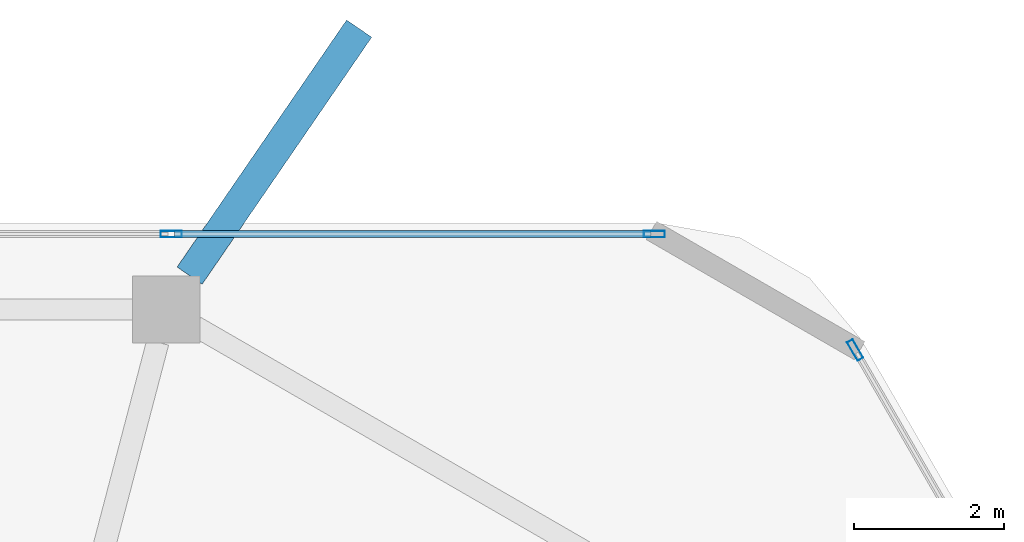
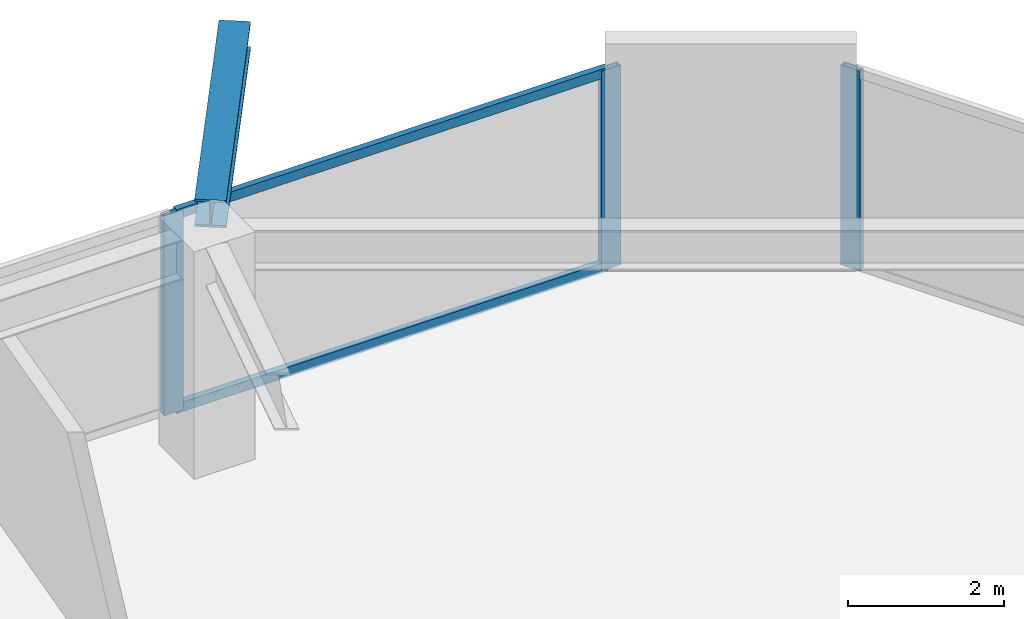
# One storey, part 16 of 25: 5 members, 1 beam, 2 elements without a shape of their own.
"""IFC4 building model written with IfcOpenShell, lengths in metres."""

from ifc_helpers import new_model, si_unit, direction, frame, origin, origin_2d, place, context, subcontext, project, spatial, hollow_rectangle, i_section, extrude, material, material_profile, profile_set, type_object, element, aggregate, save


model = new_model("IFC4")

# Units and contexts
model_context = context("Model", 3, precision=1e-05, world=origin(), true_north=direction((0.0, 1.0)))
body_context = subcontext(model_context, "Body", "Model", "MODEL_VIEW")
ifc_project = project(units=[si_unit("LENGTHUNIT", "METRE"), si_unit("AREAUNIT", "SQUARE_METRE"), si_unit("VOLUMEUNIT", "CUBIC_METRE"), si_unit("PLANEANGLEUNIT", "RADIAN"), si_unit("MASSUNIT", "GRAM", prefix="KILO")], contexts=[model_context])

# Site, building, storey
site_placement = place(None, origin())
site = spatial("IfcSite", under=ifc_project, at=site_placement, CompositionType="ELEMENT")
building_placement = place(site_placement, origin())
building = spatial("IfcBuilding", under=site, at=building_placement, Name="Zuhravey Tower", CompositionType="ELEMENT")
storey_placement = place(building_placement, frame((0.0, 0.0, 257.800048828125)))
storey = spatial("IfcBuildingStorey", under=building, at=storey_placement, Name="L65", CompositionType="ELEMENT", Elevation=257.800048828125)

# Curtain wall, members
ifc_material_1 = material(Name="Thermally broken anodised aluminium", Category="aluminium")
curtain_wall_type = type_object("IfcCurtainWallType", Name="Zone 3-4 High-Rise Curtain Wall CW4", PredefinedType="NOTDEFINED", material=ifc_material_1)
curtain_wall_1_placement = place(storey_placement, origin())
curtain_wall_1 = element("IfcCurtainWall", 1, at=curtain_wall_1_placement, inside=storey, type_object=curtain_wall_type, Name="L65 CW4 CW-L65-F2-1", PredefinedType="NOTDEFINED")
ifc_material_2 = material(Name="Anodised aluminium", Category="aluminium")
ifc_material_profile_1 = material_profile(ifc_material_2, hollow_rectangle(XDim=0.090087890625, YDim=0.284912109375, WallThickness=0.0048828125, at=origin_2d()), Name="ALU-RHS-90x285x5")
ifc_profile_set_1 = profile_set([ifc_material_profile_1], Name="Anodised aluminium")
member_type_1 = type_object("IfcMemberType", Name="Curtain-Wall Mullion 90x180", PredefinedType="MULLION", material=ifc_profile_set_1)
member_1_placement = place(storey_placement, frame((42.50634765625, 57.563720703125, 0.0), z_axis=(0.0, 0.0, 1.0), x_axis=(0.0, 1.0, 0.0)))
member_1 = element("IfcMember", 2, at=member_1_placement, type_object=member_type_1, Name="CW4 mullion 4", PredefinedType="MULLION", context=body_context, shape_type="SweptSolid", body=[
    extrude(hollow_rectangle(XDim=0.090087890625, YDim=0.284912109375, WallThickness=0.0048828125, at=origin_2d()), origin(), (0.0, 0.0, 1.0), 3.1220703125),
])
member_2_placement = place(storey_placement, frame((48.9677734375, 57.563720703125, 0.0), z_axis=(0.0, 0.0, 1.0), x_axis=(0.0, 1.0, 0.0)))
member_2 = element("IfcMember", 3, at=member_2_placement, type_object=member_type_1, Name="CW4 mullion 5", PredefinedType="MULLION", context=body_context, shape_type="SweptSolid", body=[
    extrude(hollow_rectangle(XDim=0.090087890625, YDim=0.284912109375, WallThickness=0.0048828125, at=origin_2d()), origin(), (0.0, 0.0, 1.0), 3.1220703125),
])

# Curtain wall, member
curtain_wall_2_placement = place(storey_placement, origin())
curtain_wall_2 = element("IfcCurtainWall", 4, at=curtain_wall_2_placement, inside=storey, type_object=curtain_wall_type, Name="L65 CW4 CW-L65-F1-1", PredefinedType="NOTDEFINED")
member_3_placement = place(storey_placement, frame((51.65478515625, 56.01220703125, 0.0), z_axis=(0.0, 0.0, 1.0), x_axis=(0.866024851021, 0.500000957414, 0.0)))
member_3 = element("IfcMember", 5, at=member_3_placement, type_object=member_type_1, Name="CW4 mullion 1", PredefinedType="MULLION", context=body_context, shape_type="SweptSolid", body=[
    extrude(hollow_rectangle(XDim=0.090087890625, YDim=0.284912109375, WallThickness=0.0048828125, at=origin_2d()), origin(), (0.0, 0.0, 1.0), 3.1220703125),
])
aggregate(curtain_wall_2, [member_3])

# Member
ifc_material_profile_2 = material_profile(ifc_material_2, hollow_rectangle(XDim=0.090087890625, YDim=0.14990234375, WallThickness=0.0048828125, at=origin_2d()), Name="ALU-RHS-90x150x5")
ifc_profile_set_2 = profile_set([ifc_material_profile_2], Name="Anodised aluminium")
member_type_2 = type_object("IfcMemberType", Name="Curtain-Wall Transom 90x150", PredefinedType="USERDEFINED", material=ifc_profile_set_2)
member_4_placement = place(storey_placement, frame((42.55126953125, 57.563720703125, 0.044921875), z_axis=(1.0, 0.0, 0.0), x_axis=(0.0, 1.0, 0.0)))
member_4 = element("IfcMember", 6, at=member_4_placement, type_object=member_type_2, Name="CW4 transom 4.1", ObjectType="TRANSOM", PredefinedType="USERDEFINED", context=body_context, shape_type="SweptSolid", body=[
    extrude(hollow_rectangle(XDim=0.090087890625, YDim=0.14990234375, WallThickness=0.0048828125, at=origin_2d()), origin(), (0.0, 0.0, 1.0), 6.371337890625),
])

member_5_placement = place(storey_placement, frame((42.55126953125, 57.563720703125, 3.076904296875), z_axis=(1.0, 0.0, 0.0), x_axis=(0.0, 1.0, 0.0)))
member_5 = element("IfcMember", 7, at=member_5_placement, type_object=member_type_2, Name="CW4 transom 4.2", ObjectType="TRANSOM", PredefinedType="USERDEFINED", context=body_context, shape_type="SweptSolid", body=[
    extrude(hollow_rectangle(XDim=0.090087890625, YDim=0.14990234375, WallThickness=0.0048828125, at=origin_2d()), origin(), (0.0, 0.0, 1.0), 6.371337890625),
])

aggregate(curtain_wall_1, [member_1, member_2, member_4, member_5])

# Beam
ifc_material_3 = material(Name="Steel SM460", Category="steel")
ifc_material_profile_3 = material_profile(ifc_material_3, i_section(OverallWidth=0.406982421875, OverallDepth=0.427978515625, WebThickness=0.02001953125, FlangeThickness=0.034912109375, at=origin_2d()), Name="H-428x407x20x35")
ifc_profile_set_3 = profile_set([ifc_material_profile_3], Name="Steel SM460")
beam_type = type_object("IfcBeamType", Name="Exoskeleton Node Tie Beam H428x407", PredefinedType="BEAM", material=ifc_profile_set_3)
beam_placement = place(storey_placement, frame((42.752197265625, 57.0068359375, 3.3359375), z_axis=(0.565936679704, 0.824448709481, 0.0), x_axis=(-0.824448709481, 0.565936679704, 0.0)))
element("IfcBeam", 8, at=beam_placement, inside=storey, type_object=beam_type, Name="L65 Exoskeleton Node Tie NT1-03", PredefinedType="BEAM", context=body_context, shape_type="SweptSolid", body=[
    extrude(i_section(OverallWidth=0.406982421875, OverallDepth=0.427978515625, WebThickness=0.02001953125, FlangeThickness=0.034912109375, at=origin_2d()), origin(), (0.0, 0.0, 1.0), 4.008056640625),
])

save(model, "model.ifc")
